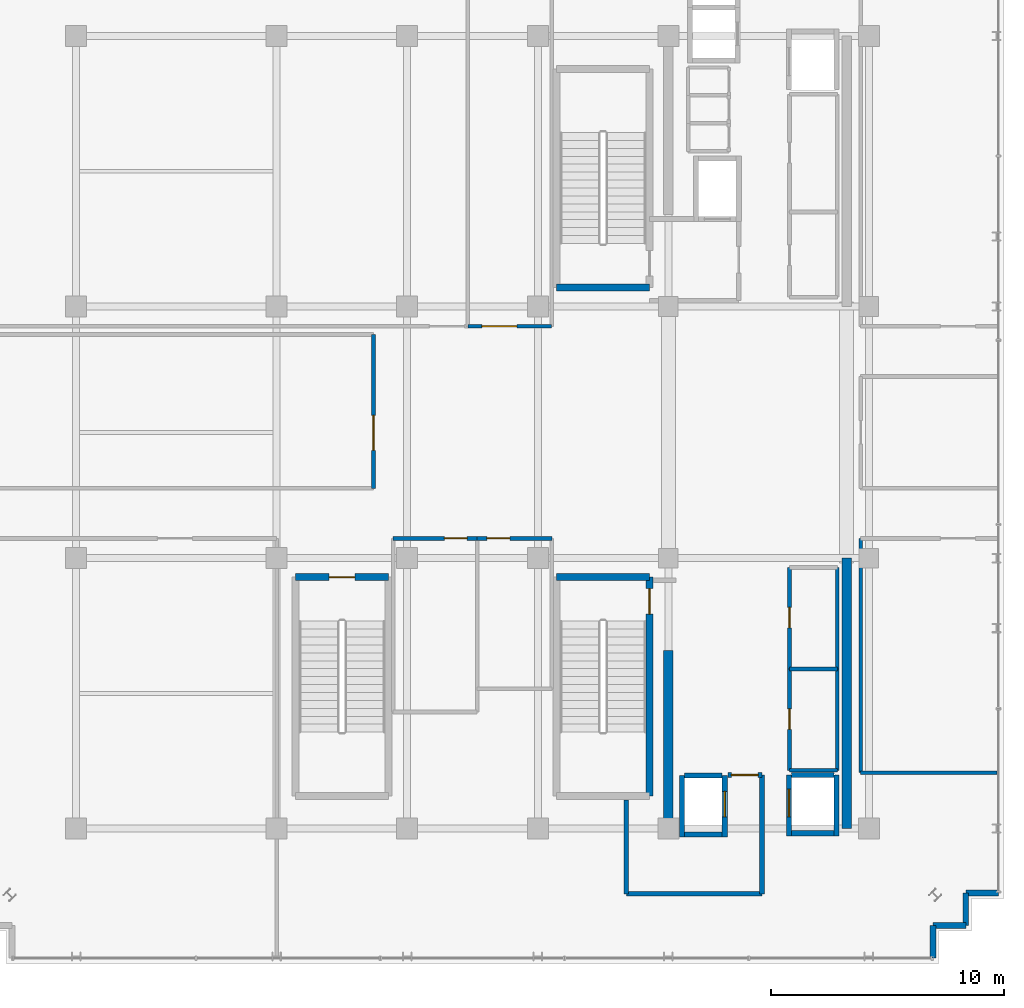
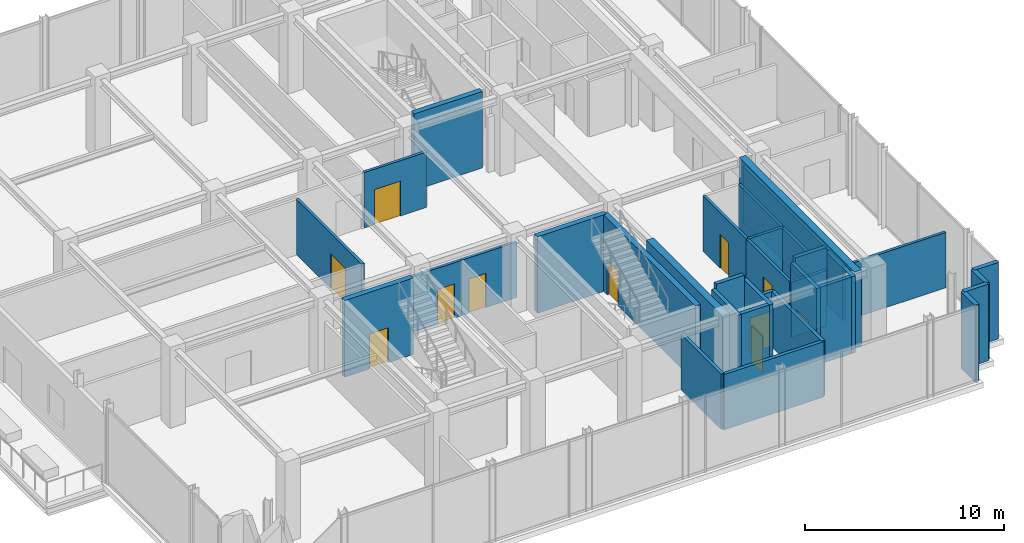
# One storey, part 23 of 28: 34 walls, 11 doors, 11 openings.
"""IFC4 building model written with IfcOpenShell, lengths in metres."""

from ifc_helpers import new_model, si_unit, direction, frame, frame_2d, origin, place, context, subcontext, project, spatial, rectangle, extrude, source, transform, mapped, material, layer, layer_set, type_object, element, fill, save


model = new_model("IFC4")

# Units and contexts
model_context = context("Model", 3, precision=1e-05, world=origin(), true_north=direction((0.0, 1.0)))
body_context = subcontext(model_context, "Body", "Model", "MODEL_VIEW")
ifc_project = project(units=[si_unit("LENGTHUNIT", "METRE"), si_unit("AREAUNIT", "SQUARE_METRE"), si_unit("VOLUMEUNIT", "CUBIC_METRE"), si_unit("PLANEANGLEUNIT", "RADIAN"), si_unit("MASSUNIT", "GRAM", prefix="KILO")], contexts=[model_context])

# Site, building, storey
site_placement = place(None, origin())
site = spatial("IfcSite", under=ifc_project, at=site_placement, CompositionType="ELEMENT")
building_placement = place(site_placement, origin())
building = spatial("IfcBuilding", under=site, at=building_placement, Name="Nahalor Promenade Grand Hotel", CompositionType="ELEMENT")
storey_placement = place(building_placement, frame((0.0, 0.0, 352.050048828125)))
storey = spatial("IfcBuildingStorey", under=building, at=storey_placement, Name="L90", CompositionType="ELEMENT", Elevation=352.050048828125)

# Walls
ifc_material_1 = material(Name="Concrete B-50 (C40/50)", Category="concrete")
ifc_layer_1 = layer(ifc_material_1, 0.39990234375)
ifc_layer_set_1 = layer_set([ifc_layer_1], Name="Concrete B-50 (C40/50)")
wall_type_1 = type_object("IfcWallType", Name="Wall-CoreShear-400", PredefinedType="SHEAR", material=ifc_layer_set_1)
shared_shape_1 = source(origin(), body_context, "Body", "SweptSolid", [
    extrude(rectangle(XDim=7.64990234375, YDim=0.39990234375, at=frame_2d((3.824951171875, 0.0))), origin(), (0.0, 0.0, 1.0), 4.699951171875),
])
wall_1_placement = place(storey_placement, frame((8.39990234375, -17.0, 0.0), z_axis=(0.0, 0.0, 1.0), x_axis=(0.0, 1.0, 0.0)))
element("IfcWall", 1, at=wall_1_placement, inside=storey, type_object=wall_type_1, Name="CWALL-L90-SW", PredefinedType="SHEAR", context=body_context, shape_type="MappedRepresentation", body=[
    mapped(shared_shape_1, transform((0.0, 0.0, 0.0), scale=1.0)),
])
shared_shape_2 = source(origin(), body_context, "Body", "SweptSolid", [
    extrude(rectangle(XDim=11.60009765625, YDim=0.39990234375, at=frame_2d((5.800048828125, 0.0))), origin(), (0.0, 0.0, 1.0), 4.699951171875),
])
wall_2_placement = place(storey_placement, frame((16.050048828125, -17.0, 0.0), z_axis=(0.0, 0.0, 1.0), x_axis=(0.0, 1.0, 0.0)))
element("IfcWall", 2, at=wall_2_placement, inside=storey, type_object=wall_type_1, Name="CWALL-L90-SE", PredefinedType="SHEAR", context=body_context, shape_type="MappedRepresentation", body=[
    mapped(shared_shape_2, transform((0.0, 0.0, 0.0), scale=1.0)),
])
ifc_layer_2 = layer(ifc_material_1, 0.300048828125)
ifc_layer_set_2 = layer_set([ifc_layer_2], Name="Concrete B-50 (C40/50)")
wall_type_2 = type_object("IfcWallType", Name="Wall-ShaftShear-300", PredefinedType="SHEAR", material=ifc_layer_set_2)
shared_shape_3 = source(origin(), body_context, "Body", "SweptSolid", [
    extrude(rectangle(XDim=3.97998046875, YDim=0.300048828125, at=frame_2d((1.989990234375, 0.0))), origin(), (0.0, 0.0, 1.0), 4.699951171875),
])
for number, where, z_axis, x_axis, name in (
    (3, (3.610107421875, 6.2099609375, 0.0), (0.0, 0.0, 1.0), (1.0, 0.0, 0.0), "L90 Exit Stair ST1 Shaft Wall S"),
    (4, (3.610107421875, -6.2099609375, 0.0), (0.0, 0.0, 1.0), (1.0, 0.0, 0.0), "L90 Exit Stair ST2 Shaft Wall N"),
):
    element("IfcWall", number, at=place(storey_placement, frame(where, z_axis=z_axis, x_axis=x_axis)), inside=storey, type_object=wall_type_2, Name=name, PredefinedType="SHEAR", context=body_context, shape_type="MappedRepresentation", body=[
        mapped(shared_shape_3, transform((0.0, 0.0, 0.0), scale=1.0)),
    ])

# Wall, opening, door
wall_3_placement = place(storey_placement, frame((-7.590087890625, -6.2099609375, 0.0), z_axis=(0.0, 0.0, 1.0), x_axis=(1.0, 0.0, 0.0)))
wall_3 = element("IfcWall", 5, at=wall_3_placement, inside=storey, type_object=wall_type_2, Name="L90 Exit Stair ST3 Shaft Wall N", PredefinedType="SHEAR", context=body_context, shape_type="MappedRepresentation", body=[
    mapped(shared_shape_3, transform((0.0, 0.0, 0.0), scale=1.0)),
])
opening_1_placement = place(wall_3_placement, frame((1.43994140625, 0.0, 0.0)))
opening_1 = element("IfcOpeningElement", 6, at=opening_1_placement, cuts=wall_3, Name="Opening D-ST1", PredefinedType="OPENING", context=body_context, shape_type="SweptSolid", body=[
    extrude(rectangle(XDim=1.10009765625, YDim=2.14990234375, at=frame_2d((0.550048828125, 1.074951171875))), frame((0.0, 0.159912109375, 0.0), z_axis=(0.0, -1.0, 0.0), x_axis=(1.0, 0.0, 0.0)), (0.0, 0.0, 1.0), 0.320068359375),
])
ifc_material_2 = material(Name="Steel S355JR", Category="steel")
door_type_1 = type_object("IfcDoorType", Name="Door-StairFire-1100", OperationType="NOTDEFINED", PredefinedType="DOOR", material=ifc_material_2)
shared_shape_4 = source(origin(), body_context, "Body", "SweptSolid", [
    extrude(rectangle(XDim=1.10009765625, YDim=2.14990234375, at=frame_2d((0.550048828125, 1.074951171875))), frame((0.0, 0.02490234375, 0.0), z_axis=(0.0, -1.0, 0.0), x_axis=(1.0, 0.0, 0.0)), (0.0, 0.0, 1.0), 0.050048828125),
])
door_1_placement = place(opening_1_placement, frame((1.10009765625, 0.0, 0.0), z_axis=(0.0, 0.0, 1.0), x_axis=(-1.0, 0.0, 0.0)))
door_1 = element("IfcDoor", 7, at=door_1_placement, inside=storey, type_object=door_type_1, Name="DR-STAIR-ST3-L90", OperationType="SINGLE_SWING_LEFT", OverallHeight=2.14990234375, OverallWidth=1.10009765625, PredefinedType="DOOR", context=body_context, shape_type="MappedRepresentation", body=[
    mapped(shared_shape_4, transform((0.0, 0.0, 0.0), scale=1.0)),
])
fill(opening_1, door_1)

shared_shape_5 = source(origin(), body_context, "Body", "SweptSolid", [
    extrude(rectangle(XDim=9.380126953125, YDim=0.300048828125, at=frame_2d((4.68994140625, 0.0))), origin(), (0.0, 0.0, 1.0), 4.699951171875),
])
wall_4_placement = place(storey_placement, frame((7.590087890625, -15.590087890625, 0.0), z_axis=(0.0, 0.0, 1.0), x_axis=(0.0, 1.0, 0.0)))
wall_4 = element("IfcWall", 8, at=wall_4_placement, inside=storey, type_object=wall_type_2, Name="L90 Exit Stair ST2 Shaft Wall E", PredefinedType="SHEAR", context=body_context, shape_type="MappedRepresentation", body=[
    mapped(shared_shape_5, transform((0.0, 0.0, 0.0), scale=1.0)),
])
opening_2_placement = place(wall_4_placement, frame((7.7900390625, 0.0, 0.0)))
opening_2 = element("IfcOpeningElement", 9, at=opening_2_placement, cuts=wall_4, Name="Opening D-ST1", PredefinedType="OPENING", context=body_context, shape_type="SweptSolid", body=[
    extrude(rectangle(XDim=1.10009765625, YDim=2.14990234375, at=frame_2d((0.550048828125, 1.074951171875))), frame((0.0, 0.159912109375, 0.0), z_axis=(0.0, -1.0, 0.0), x_axis=(1.0, 0.0, 0.0)), (0.0, 0.0, 1.0), 0.320068359375),
])
door_2_placement = place(opening_2_placement, origin())
door_2 = element("IfcDoor", 10, at=door_2_placement, inside=storey, type_object=door_type_1, Name="DR-STAIR-ST2-L90", OperationType="SINGLE_SWING_LEFT", OverallHeight=2.14990234375, OverallWidth=1.10009765625, PredefinedType="DOOR", context=body_context, shape_type="MappedRepresentation", body=[
    mapped(shared_shape_4, transform((0.0, 0.0, 0.0), scale=1.0)),
])
fill(opening_2, door_2)

# Walls
ifc_layer_3 = layer(ifc_material_1, 0.219970703125)
ifc_layer_set_3 = layer_set([ifc_layer_3], Name="Concrete B-50 (C40/50)")
wall_type_3 = type_object("IfcWallType", Name="Wall-LiftShaft-220", PredefinedType="SHEAR", material=ifc_layer_set_3)
shared_shape_6 = source(origin(), body_context, "Body", "SweptSolid", [
    extrude(rectangle(XDim=1.820068359375, YDim=0.219970703125, at=frame_2d((0.91015625, 0.0))), origin(), (0.0, 0.0, 1.0), 4.699951171875),
])
wall_5_placement = place(storey_placement, frame((13.68994140625, -17.199951171875, 0.0), z_axis=(0.0, 0.0, 1.0), x_axis=(1.0, 0.0, 0.0)))
element("IfcWall", 11, at=wall_5_placement, inside=storey, type_object=wall_type_3, Name="L90 Lift SV2 Hoistway Wall S", PredefinedType="SHEAR", context=body_context, shape_type="MappedRepresentation", body=[
    mapped(shared_shape_6, transform((0.0, 0.0, 0.0), scale=1.0)),
])
shared_shape_7 = source(origin(), body_context, "Body", "SweptSolid", [
    extrude(rectangle(XDim=1.820068359375, YDim=0.219970703125, at=frame_2d((0.91015625, 0.0))), origin(), (0.0, 0.0, 1.0), 5.0),
])
wall_6_placement = place(storey_placement, frame((13.68994140625, -14.699951171875, 0.0), z_axis=(0.0, 0.0, 1.0), x_axis=(1.0, 0.0, 0.0)))
element("IfcWall", 12, at=wall_6_placement, inside=storey, type_object=wall_type_3, Name="L90 Lift SV2 Hoistway Wall N", PredefinedType="SHEAR", context=body_context, shape_type="MappedRepresentation", body=[
    mapped(shared_shape_7, transform((0.0, 0.0, 0.0), scale=1.0)),
])
shared_shape_8 = source(origin(), body_context, "Body", "SweptSolid", [
    extrude(rectangle(XDim=2.635009765625, YDim=0.219970703125, at=frame_2d((1.3173828125, 0.0))), origin(), (0.0, 0.0, 1.0), 4.699951171875),
])
wall_7_placement = place(storey_placement, frame((8.97998046875, -17.360107421875, 0.0), z_axis=(0.0, 0.0, 1.0), x_axis=(0.0, 1.0, 0.0)))
element("IfcWall", 13, at=wall_7_placement, inside=storey, type_object=wall_type_3, Name="L90 Lift FL2 Hoistway Wall W", PredefinedType="SHEAR", context=body_context, shape_type="MappedRepresentation", body=[
    mapped(shared_shape_8, transform((0.0, 0.0, 0.0), scale=1.0)),
])

# Wall, opening, door
wall_8_placement = place(storey_placement, frame((10.820068359375, -17.360107421875, 0.0), z_axis=(0.0, 0.0, 1.0), x_axis=(0.0, 1.0, 0.0)))
wall_8 = element("IfcWall", 14, at=wall_8_placement, inside=storey, type_object=wall_type_3, Name="L90 Lift FL2 Hoistway Wall E", PredefinedType="SHEAR", context=body_context, shape_type="MappedRepresentation", body=[
    mapped(shared_shape_8, transform((0.0, 0.0, 0.0), scale=1.0)),
])
opening_3_placement = place(wall_8_placement, frame((0.860107421875, 0.0, 0.0)))
opening_3 = element("IfcOpeningElement", 15, at=opening_3_placement, cuts=wall_8, Name="Opening LD-02", PredefinedType="OPENING", context=body_context, shape_type="SweptSolid", body=[
    extrude(rectangle(XDim=1.10009765625, YDim=2.199951171875, at=frame_2d((0.550048828125, 1.10009765625))), frame((0.0, 0.119873046875, 0.0), z_axis=(0.0, -1.0, 0.0), x_axis=(1.0, 0.0, 0.0)), (0.0, 0.0, 1.0), 0.239990234375),
])
door_type_2 = type_object("IfcDoorType", Name="Door-LiftFF-1100", OperationType="DOUBLE_DOOR_SLIDING", PredefinedType="DOOR", material=ifc_material_2)
shared_shape_9 = source(origin(), body_context, "Body", "SweptSolid", [
    extrude(rectangle(XDim=1.10009765625, YDim=2.199951171875, at=frame_2d((0.550048828125, 1.10009765625))), frame((0.0, 0.02490234375, 0.0), z_axis=(0.0, -1.0, 0.0), x_axis=(1.0, 0.0, 0.0)), (0.0, 0.0, 1.0), 0.050048828125),
])
door_3_placement = place(opening_3_placement, frame((1.10009765625, 0.0, 0.0), z_axis=(0.0, 0.0, 1.0), x_axis=(-1.0, 0.0, 0.0)))
door_3 = element("IfcDoor", 16, at=door_3_placement, inside=storey, type_object=door_type_2, Name="DR-LIFT-FL2-L90", OperationType="DOUBLE_DOOR_SLIDING", OverallHeight=2.199951171875, OverallWidth=1.10009765625, PredefinedType="DOOR", context=body_context, shape_type="MappedRepresentation", body=[
    mapped(shared_shape_9, transform((0.0, 0.0, 0.0), scale=1.0)),
])
fill(opening_3, door_3)

# Walls
shared_shape_10 = source(origin(), body_context, "Body", "SweptSolid", [
    extrude(rectangle(XDim=1.619873046875, YDim=0.219970703125, at=frame_2d((0.81005859375, 0.0))), origin(), (0.0, 0.0, 1.0), 4.699951171875),
])
wall_9_placement = place(storey_placement, frame((9.090087890625, -17.25, 0.0), z_axis=(0.0, 0.0, 1.0), x_axis=(1.0, 0.0, 0.0)))
element("IfcWall", 17, at=wall_9_placement, inside=storey, type_object=wall_type_3, Name="L90 Lift FL2 Hoistway Wall S", PredefinedType="SHEAR", context=body_context, shape_type="MappedRepresentation", body=[
    mapped(shared_shape_10, transform((0.0, 0.0, 0.0), scale=1.0)),
])
shared_shape_11 = source(origin(), body_context, "Body", "SweptSolid", [
    extrude(rectangle(XDim=1.619873046875, YDim=0.219970703125, at=frame_2d((0.81005859375, 0.0))), origin(), (0.0, 0.0, 1.0), 5.0),
])
wall_10_placement = place(storey_placement, frame((9.090087890625, -14.72509765625, 0.0), z_axis=(0.0, 0.0, 1.0), x_axis=(1.0, 0.0, 0.0)))
element("IfcWall", 18, at=wall_10_placement, inside=storey, type_object=wall_type_3, Name="L90 Lift FL2 Hoistway Wall N", PredefinedType="SHEAR", context=body_context, shape_type="MappedRepresentation", body=[
    mapped(shared_shape_11, transform((0.0, 0.0, 0.0), scale=1.0)),
])

# Wall, opening, door
shared_shape_12 = source(origin(), body_context, "Body", "SweptSolid", [
    extrude(rectangle(XDim=2.610107421875, YDim=0.219970703125, at=frame_2d((1.30517578125, 0.0))), origin(), (0.0, 0.0, 1.0), 4.699951171875),
])
wall_11_placement = place(storey_placement, frame((13.580078125, -17.31005859375, 0.0), z_axis=(0.0, 0.0, 1.0), x_axis=(0.0, 1.0, 0.0)))
wall_11 = element("IfcWall", 19, at=wall_11_placement, inside=storey, type_object=wall_type_3, Name="L90 Lift SV2 Hoistway Wall W", PredefinedType="SHEAR", context=body_context, shape_type="MappedRepresentation", body=[
    mapped(shared_shape_12, transform((0.0, 0.0, 0.0), scale=1.0)),
])
opening_4_placement = place(wall_11_placement, frame((0.81005859375, 0.0, 0.0)))
opening_4 = element("IfcOpeningElement", 20, at=opening_4_placement, cuts=wall_11, Name="Opening LD-03", PredefinedType="OPENING", context=body_context, shape_type="SweptSolid", body=[
    extrude(rectangle(XDim=1.199951171875, YDim=2.199951171875, at=frame_2d((0.60009765625, 1.10009765625))), frame((0.0, 0.119873046875, 0.0), z_axis=(0.0, -1.0, 0.0), x_axis=(1.0, 0.0, 0.0)), (0.0, 0.0, 1.0), 0.239990234375),
])
door_type_3 = type_object("IfcDoorType", Name="Door-LiftService-1200", OperationType="DOUBLE_DOOR_SLIDING", PredefinedType="DOOR", material=ifc_material_2)
shared_shape_13 = source(origin(), body_context, "Body", "SweptSolid", [
    extrude(rectangle(XDim=1.199951171875, YDim=2.199951171875, at=frame_2d((0.60009765625, 1.10009765625))), frame((0.0, 0.02490234375, 0.0), z_axis=(0.0, -1.0, 0.0), x_axis=(1.0, 0.0, 0.0)), (0.0, 0.0, 1.0), 0.050048828125),
])
door_4_placement = place(opening_4_placement, origin())
door_4 = element("IfcDoor", 21, at=door_4_placement, inside=storey, type_object=door_type_3, Name="DR-LIFT-SV2-L90", OperationType="DOUBLE_DOOR_SLIDING", OverallHeight=2.199951171875, OverallWidth=1.199951171875, PredefinedType="DOOR", context=body_context, shape_type="MappedRepresentation", body=[
    mapped(shared_shape_13, transform((0.0, 0.0, 0.0), scale=1.0)),
])
fill(opening_4, door_4)

# Walls
wall_12_placement = place(storey_placement, frame((15.6201171875, -17.31005859375, 0.0), z_axis=(0.0, 0.0, 1.0), x_axis=(0.0, 1.0, 0.0)))
element("IfcWall", 22, at=wall_12_placement, inside=storey, type_object=wall_type_3, Name="L90 Lift SV2 Hoistway Wall E", PredefinedType="SHEAR", context=body_context, shape_type="MappedRepresentation", body=[
    mapped(shared_shape_12, transform((0.0, 0.0, 0.0), scale=1.0)),
])
ifc_material_3 = material(Name="Concrete B-40 (C32/40)", Category="concrete")
ifc_layer_4 = layer(ifc_material_3, 0.25)
ifc_layer_set_4 = layer_set([ifc_layer_4], Name="Concrete B-40 (C32/40)")
wall_type_4 = type_object("IfcWallType", Name="Wall-BronzePier-250", PredefinedType="STANDARD", material=ifc_layer_set_4)
shared_shape_14 = source(origin(), body_context, "Body", "SweptSolid", [
    extrude(rectangle(XDim=1.400146484375, YDim=0.25, at=frame_2d((0.7001953125, 0.0))), origin(), (0.0, 0.0, 1.0), 4.699951171875),
])
for number, where, z_axis, x_axis, name in (
    (23, (19.760009765625, -22.56005859375, 0.0), (0.0, 0.0, 1.0), (0.0, 1.0, 0.0), "W-L90-SR-01"),
    (24, (21.159912109375, -19.760009765625, 0.0), (0.0, 0.0, 1.0), (1.0, 0.0, 0.0), "W-L90-SR-04"),
):
    element("IfcWall", number, at=place(storey_placement, frame(where, z_axis=z_axis, x_axis=x_axis)), inside=storey, type_object=wall_type_4, Name=name, PredefinedType="STANDARD", context=body_context, shape_type="MappedRepresentation", body=[
        mapped(shared_shape_14, transform((0.0, 0.0, 0.0), scale=1.0)),
    ])
shared_shape_15 = source(origin(), body_context, "Body", "SweptSolid", [
    extrude(rectangle(XDim=1.39990234375, YDim=0.25, at=frame_2d((0.699951171875, 0.0))), origin(), (0.0, 0.0, 1.0), 4.699951171875),
])
for number, where, z_axis, x_axis, name in (
    (25, (19.760009765625, -21.159912109375, 0.0), (0.0, 0.0, 1.0), (1.0, 0.0, 0.0), "W-L90-SR-02"),
    (26, (21.159912109375, -21.159912109375, 0.0), (0.0, 0.0, 1.0), (0.0, 1.0, 0.0), "W-L90-SR-03"),
):
    element("IfcWall", number, at=place(storey_placement, frame(where, z_axis=z_axis, x_axis=x_axis)), inside=storey, type_object=wall_type_4, Name=name, PredefinedType="STANDARD", context=body_context, shape_type="MappedRepresentation", body=[
        mapped(shared_shape_15, transform((0.0, 0.0, 0.0), scale=1.0)),
    ])
ifc_layer_5 = layer(ifc_material_3, 0.199951171875)
ifc_layer_set_5 = layer_set([ifc_layer_5], Name="Concrete B-40 (C32/40)")
wall_type_5 = type_object("IfcWallType", Name="Wall-PartFire-200", PredefinedType="PARTITIONING", material=ifc_layer_set_5)
shared_shape_16 = source(origin(), body_context, "Body", "SweptSolid", [
    extrude(rectangle(XDim=5.81982421875, YDim=0.199951171875, at=frame_2d((2.909912109375, 0.0))), origin(), (0.0, 0.0, 1.0), 3.39990234375),
])
wall_13_placement = place(storey_placement, frame((6.60009765625, -19.800048828125, 0.0), z_axis=(0.0, 0.0, 1.0), x_axis=(1.0, 0.0, 0.0)))
element("IfcWall", 27, at=wall_13_placement, inside=storey, type_object=wall_type_5, Name="W-L90-FF2-S1", PredefinedType="PARTITIONING", context=body_context, shape_type="MappedRepresentation", body=[
    mapped(shared_shape_16, transform((0.0, 0.0, 0.0), scale=1.0)),
])
shared_shape_17 = source(origin(), body_context, "Body", "SweptSolid", [
    extrude(rectangle(XDim=4.030029296875, YDim=0.199951171875, at=frame_2d((2.01513671875, 0.0))), origin(), (0.0, 0.0, 1.0), 3.39990234375),
])
wall_14_placement = place(storey_placement, frame((6.60009765625, -19.800048828125, 0.0), z_axis=(0.0, 0.0, 1.0), x_axis=(0.0, 1.0, 0.0)))
element("IfcWall", 28, at=wall_14_placement, inside=storey, type_object=wall_type_5, Name="W-L90-FF2-W1", PredefinedType="PARTITIONING", context=body_context, shape_type="MappedRepresentation", body=[
    mapped(shared_shape_17, transform((0.0, 0.0, 0.0), scale=1.0)),
])
shared_shape_18 = source(origin(), body_context, "Body", "SweptSolid", [
    extrude(rectangle(XDim=5.10009765625, YDim=0.199951171875, at=frame_2d((2.550048828125, 0.0))), origin(), (0.0, 0.0, 1.0), 3.39990234375),
])
wall_15_placement = place(storey_placement, frame((12.419921875, -19.800048828125, 0.0), z_axis=(0.0, 0.0, 1.0), x_axis=(0.0, 1.0, 0.0)))
element("IfcWall", 29, at=wall_15_placement, inside=storey, type_object=wall_type_5, Name="W-L90-FF2-E", PredefinedType="PARTITIONING", context=body_context, shape_type="MappedRepresentation", body=[
    mapped(shared_shape_18, transform((0.0, 0.0, 0.0), scale=1.0)),
])

# Wall, opening, door
shared_shape_19 = source(origin(), body_context, "Body", "SweptSolid", [
    extrude(rectangle(XDim=1.4599609375, YDim=0.199951171875, at=frame_2d((0.72998046875, 0.0))), origin(), (0.0, 0.0, 1.0), 3.39990234375),
])
wall_16_placement = place(storey_placement, frame((10.9599609375, -14.699951171875, 0.0), z_axis=(0.0, 0.0, 1.0), x_axis=(1.0, 0.0, 0.0)))
wall_16 = element("IfcWall", 30, at=wall_16_placement, inside=storey, type_object=wall_type_5, Name="W-L90-FF2-N1", PredefinedType="PARTITIONING", context=body_context, shape_type="MappedRepresentation", body=[
    mapped(shared_shape_19, transform((0.0, 0.0, 0.0), scale=1.0)),
])
opening_5_placement = place(wall_16_placement, frame((0.14501953125, 0.0, 0.0)))
opening_5 = element("IfcOpeningElement", 31, at=opening_5_placement, cuts=wall_16, Name="Opening D-FF1", PredefinedType="OPENING", context=body_context, shape_type="SweptSolid", body=[
    extrude(rectangle(XDim=1.14990234375, YDim=2.14990234375, at=frame_2d((0.574951171875, 1.074951171875))), frame((0.0, 0.10986328125, 0.0), z_axis=(0.0, -1.0, 0.0), x_axis=(1.0, 0.0, 0.0)), (0.0, 0.0, 1.0), 0.219970703125),
])
door_type_4 = type_object("IfcDoorType", Name="Door-FFLobby-1150", OperationType="NOTDEFINED", PredefinedType="DOOR", material=ifc_material_2)
shared_shape_20 = source(origin(), body_context, "Body", "SweptSolid", [
    extrude(rectangle(XDim=1.14990234375, YDim=2.14990234375, at=frame_2d((0.574951171875, 1.074951171875))), frame((0.0, 0.02490234375, 0.0), z_axis=(0.0, -1.0, 0.0), x_axis=(1.0, 0.0, 0.0)), (0.0, 0.0, 1.0), 0.050048828125),
])
door_5_placement = place(opening_5_placement, origin())
door_5 = element("IfcDoor", 32, at=door_5_placement, inside=storey, type_object=door_type_4, Name="DR-L90-FFL2", OperationType="SINGLE_SWING_RIGHT", OverallHeight=2.14990234375, OverallWidth=1.14990234375, PredefinedType="DOOR", context=body_context, shape_type="MappedRepresentation", body=[
    mapped(shared_shape_20, transform((0.0, 0.0, 0.0), scale=1.0)),
])
fill(opening_5, door_5)

# Walls
ifc_material_4 = material(Name="Acoustic Mineral Gypsum", Category="gypsum")
ifc_layer_6 = layer(ifc_material_4, 0.159912109375)
ifc_layer_set_6 = layer_set([ifc_layer_6], Name="Acoustic Mineral Gypsum")
wall_type_6 = type_object("IfcWallType", Name="Wall-PartCorridor-160", PredefinedType="PARTITIONING", material=ifc_layer_set_6)
shared_shape_21 = source(origin(), body_context, "Body", "SweptSolid", [
    extrude(rectangle(XDim=2.0498046875, YDim=0.159912109375, at=frame_2d((1.02490234375, 0.0))), origin(), (0.0, 0.0, 1.0), 3.39990234375),
])
for number, where, z_axis, x_axis, name in (
    (33, (13.60009765625, -14.5, 0.0), (0.0, 0.0, 1.0), (1.0, 0.0, 0.0), "W-L90-FRB2A-S"),
    (34, (13.60009765625, -10.14990234375, 0.0), (0.0, 0.0, 1.0), (1.0, 0.0, 0.0), "W-L90-FRB2A-N"),
):
    element("IfcWall", number, at=place(storey_placement, frame(where, z_axis=z_axis, x_axis=x_axis)), inside=storey, type_object=wall_type_6, Name=name, PredefinedType="PARTITIONING", context=body_context, shape_type="MappedRepresentation", body=[
        mapped(shared_shape_21, transform((0.0, 0.0, 0.0), scale=1.0)),
    ])

# Wall, opening, door
shared_shape_22 = source(origin(), body_context, "Body", "SweptSolid", [
    extrude(rectangle(XDim=4.35009765625, YDim=0.159912109375, at=frame_2d((2.175048828125, 0.0))), origin(), (0.0, 0.0, 1.0), 3.39990234375),
])
wall_17_placement = place(storey_placement, frame((13.60009765625, -14.5, 0.0), z_axis=(0.0, 0.0, 1.0), x_axis=(0.0, 1.0, 0.0)))
wall_17 = element("IfcWall", 35, at=wall_17_placement, inside=storey, type_object=wall_type_6, Name="W-L90-FRB2A-W", PredefinedType="PARTITIONING", context=body_context, shape_type="MappedRepresentation", body=[
    mapped(shared_shape_22, transform((0.0, 0.0, 0.0), scale=1.0)),
])
opening_6_placement = place(wall_17_placement, frame((1.760009765625, 0.0, 0.0)))
opening_6 = element("IfcOpeningElement", 36, at=opening_6_placement, cuts=wall_17, Name="Opening D-03", PredefinedType="OPENING", context=body_context, shape_type="SweptSolid", body=[
    extrude(rectangle(XDim=0.8798828125, YDim=2.10009765625, at=frame_2d((0.43994140625, 1.050048828125))), frame((0.0, 0.08984375, 0.0), z_axis=(0.0, -1.0, 0.0), x_axis=(1.0, 0.0, 0.0)), (0.0, 0.0, 1.0), 0.179931640625),
])
ifc_material_5 = material(Name="Fire-Rated Timber Composite", Category="wood")
door_type_5 = type_object("IfcDoorType", Name="Door-BathSwing-880", OperationType="NOTDEFINED", PredefinedType="DOOR", material=ifc_material_5)
shared_shape_23 = source(origin(), body_context, "Body", "SweptSolid", [
    extrude(rectangle(XDim=0.8798828125, YDim=2.10009765625, at=frame_2d((0.43994140625, 1.050048828125))), frame((0.0, 0.02490234375, 0.0), z_axis=(0.0, -1.0, 0.0), x_axis=(1.0, 0.0, 0.0)), (0.0, 0.0, 1.0), 0.050048828125),
])
door_6_placement = place(opening_6_placement, frame((0.8798828125, 0.0, 0.0), z_axis=(0.0, 0.0, 1.0), x_axis=(-1.0, 0.0, 0.0)))
door_6 = element("IfcDoor", 37, at=door_6_placement, inside=storey, type_object=door_type_5, Name="DR-L90-FRB2A", OperationType="SINGLE_SWING_RIGHT", OverallHeight=2.10009765625, OverallWidth=0.8798828125, PredefinedType="DOOR", context=body_context, shape_type="MappedRepresentation", body=[
    mapped(shared_shape_23, transform((0.0, 0.0, 0.0), scale=1.0)),
])
fill(opening_6, door_6)

# Wall
wall_18_placement = place(storey_placement, frame((15.64990234375, -14.5, 0.0), z_axis=(0.0, 0.0, 1.0), x_axis=(0.0, 1.0, 0.0)))
element("IfcWall", 38, at=wall_18_placement, inside=storey, type_object=wall_type_6, Name="W-L90-FRB2A-E", PredefinedType="PARTITIONING", context=body_context, shape_type="MappedRepresentation", body=[
    mapped(shared_shape_22, transform((0.0, 0.0, 0.0), scale=1.0)),
])

# Wall, opening, door
shared_shape_24 = source(origin(), body_context, "Body", "SweptSolid", [
    extrude(rectangle(XDim=4.349853515625, YDim=0.159912109375, at=frame_2d((2.1748046875, 0.0))), origin(), (0.0, 0.0, 1.0), 3.39990234375),
])
wall_19_placement = place(storey_placement, frame((13.60009765625, -10.14990234375, 0.0), z_axis=(0.0, 0.0, 1.0), x_axis=(0.0, 1.0, 0.0)))
wall_19 = element("IfcWall", 39, at=wall_19_placement, inside=storey, type_object=wall_type_6, Name="W-L90-FRB2B-W", PredefinedType="PARTITIONING", context=body_context, shape_type="MappedRepresentation", body=[
    mapped(shared_shape_24, transform((0.0, 0.0, 0.0), scale=1.0)),
])
opening_7_placement = place(wall_19_placement, frame((1.760009765625, 0.0, 0.0)))
opening_7 = element("IfcOpeningElement", 40, at=opening_7_placement, cuts=wall_19, Name="Opening D-03", PredefinedType="OPENING", context=body_context, shape_type="SweptSolid", body=[
    extrude(rectangle(XDim=0.8798828125, YDim=2.10009765625, at=frame_2d((0.43994140625, 1.050048828125))), frame((0.0, 0.08984375, 0.0), z_axis=(0.0, -1.0, 0.0), x_axis=(1.0, 0.0, 0.0)), (0.0, 0.0, 1.0), 0.179931640625),
])
door_7_placement = place(opening_7_placement, frame((0.8798828125, 0.0, 0.0), z_axis=(0.0, 0.0, 1.0), x_axis=(-1.0, 0.0, 0.0)))
door_7 = element("IfcDoor", 41, at=door_7_placement, inside=storey, type_object=door_type_5, Name="DR-L90-FRB2B", OperationType="SINGLE_SWING_LEFT", OverallHeight=2.10009765625, OverallWidth=0.8798828125, PredefinedType="DOOR", context=body_context, shape_type="MappedRepresentation", body=[
    mapped(shared_shape_23, transform((0.0, 0.0, 0.0), scale=1.0)),
])
fill(opening_7, door_7)

# Walls
wall_20_placement = place(storey_placement, frame((15.64990234375, -10.14990234375, 0.0), z_axis=(0.0, 0.0, 1.0), x_axis=(0.0, 1.0, 0.0)))
element("IfcWall", 42, at=wall_20_placement, inside=storey, type_object=wall_type_6, Name="W-L90-FRB2B-E", PredefinedType="PARTITIONING", context=body_context, shape_type="MappedRepresentation", body=[
    mapped(shared_shape_24, transform((0.0, 0.0, 0.0), scale=1.0)),
])
shared_shape_25 = source(origin(), body_context, "Body", "SweptSolid", [
    extrude(rectangle(XDim=5.85009765625, YDim=0.159912109375, at=frame_2d((2.925048828125, 0.0))), origin(), (0.0, 0.0, 1.0), 3.39990234375),
])
wall_21_placement = place(storey_placement, frame((16.64990234375, -14.60009765625, 0.0), z_axis=(0.0, 0.0, 1.0), x_axis=(1.0, 0.0, 0.0)))
element("IfcWall", 43, at=wall_21_placement, inside=storey, type_object=wall_type_6, Name="W-L90-SK07-S", PredefinedType="PARTITIONING", context=body_context, shape_type="MappedRepresentation", body=[
    mapped(shared_shape_25, transform((0.0, 0.0, 0.0), scale=1.0)),
])

# Wall, opening, door
shared_shape_26 = source(origin(), body_context, "Body", "SweptSolid", [
    extrude(rectangle(XDim=3.599853515625, YDim=0.159912109375, at=frame_2d((1.7998046875, 0.0))), origin(), (0.0, 0.0, 1.0), 3.39990234375),
])
wall_22_placement = place(storey_placement, frame((-0.199951171875, 4.550048828125, 0.0), z_axis=(0.0, 0.0, 1.0), x_axis=(1.0, 0.0, 0.0)))
wall_22 = element("IfcWall", 44, at=wall_22_placement, inside=storey, type_object=wall_type_6, Name="W-L90-SK04-S", PredefinedType="PARTITIONING", context=body_context, shape_type="MappedRepresentation", body=[
    mapped(shared_shape_26, transform((0.0, 0.0, 0.0), scale=1.0)),
])
opening_8_placement = place(wall_22_placement, frame((0.60009765625, 0.0, 0.0)))
opening_8 = element("IfcOpeningElement", 45, at=opening_8_placement, cuts=wall_22, Name="Opening D-02", PredefinedType="OPENING", context=body_context, shape_type="SweptSolid", body=[
    extrude(rectangle(XDim=1.5, YDim=2.14990234375, at=frame_2d((0.75, 1.074951171875))), frame((0.0, 0.08984375, 0.0), z_axis=(0.0, -1.0, 0.0), x_axis=(1.0, 0.0, 0.0)), (0.0, 0.0, 1.0), 0.179931640625),
])
door_type_6 = type_object("IfcDoorType", Name="Door-SuiteDouble-1500", OperationType="DOUBLE_DOOR_SINGLE_SWING", PredefinedType="DOOR", material=ifc_material_5)
shared_shape_27 = source(origin(), body_context, "Body", "SweptSolid", [
    extrude(rectangle(XDim=1.5, YDim=2.14990234375, at=frame_2d((0.75, 1.074951171875))), frame((0.0, 0.02490234375, 0.0), z_axis=(0.0, -1.0, 0.0), x_axis=(1.0, 0.0, 0.0)), (0.0, 0.0, 1.0), 0.050048828125),
])
door_8_placement = place(opening_8_placement, origin())
door_8 = element("IfcDoor", 46, at=door_8_placement, inside=storey, type_object=door_type_6, Name="DR-L90-SK04", OperationType="DOUBLE_DOOR_SINGLE_SWING", OverallHeight=2.14990234375, OverallWidth=1.5, PredefinedType="DOOR", context=body_context, shape_type="MappedRepresentation", body=[
    mapped(shared_shape_27, transform((0.0, 0.0, 0.0), scale=1.0)),
])
fill(opening_8, door_8)

wall_23_placement = place(storey_placement, frame((-3.39990234375, -4.550048828125, 0.0), z_axis=(0.0, 0.0, 1.0), x_axis=(1.0, 0.0, 0.0)))
wall_23 = element("IfcWall", 47, at=wall_23_placement, inside=storey, type_object=wall_type_6, Name="W-L90-SK08-N", PredefinedType="PARTITIONING", context=body_context, shape_type="MappedRepresentation", body=[
    mapped(shared_shape_26, transform((0.0, 0.0, 0.0), scale=1.0)),
])
opening_9_placement = place(wall_23_placement, frame((2.18994140625, 0.0, 0.0)))
opening_9 = element("IfcOpeningElement", 48, at=opening_9_placement, cuts=wall_23, Name="Opening D-05", PredefinedType="OPENING", context=body_context, shape_type="SweptSolid", body=[
    extrude(rectangle(XDim=0.97998046875, YDim=2.10009765625, at=frame_2d((0.489990234375, 1.050048828125))), frame((0.0, 0.08984375, 0.0), z_axis=(0.0, -1.0, 0.0), x_axis=(1.0, 0.0, 0.0)), (0.0, 0.0, 1.0), 0.179931640625),
])
door_type_7 = type_object("IfcDoorType", Name="Door-AccessibleWC-980", OperationType="NOTDEFINED", PredefinedType="DOOR", material=ifc_material_5)
shared_shape_28 = source(origin(), body_context, "Body", "SweptSolid", [
    extrude(rectangle(XDim=0.97998046875, YDim=2.10009765625, at=frame_2d((0.489990234375, 1.050048828125))), frame((0.0, 0.02490234375, 0.0), z_axis=(0.0, -1.0, 0.0), x_axis=(1.0, 0.0, 0.0)), (0.0, 0.0, 1.0), 0.050048828125),
])
door_9_placement = place(opening_9_placement, frame((0.97998046875, 0.0, 0.0), z_axis=(0.0, 0.0, 1.0), x_axis=(-1.0, 0.0, 0.0)))
door_9 = element("IfcDoor", 49, at=door_9_placement, inside=storey, type_object=door_type_7, Name="DR-L90-SK08", OperationType="SINGLE_SWING_LEFT", OverallHeight=2.10009765625, OverallWidth=0.97998046875, PredefinedType="DOOR", context=body_context, shape_type="MappedRepresentation", body=[
    mapped(shared_shape_28, transform((0.0, 0.0, 0.0), scale=1.0)),
])
fill(opening_9, door_9)

# Wall
shared_shape_29 = source(origin(), body_context, "Body", "SweptSolid", [
    extrude(rectangle(XDim=10.050048828125, YDim=0.159912109375, at=frame_2d((5.02490234375, 0.0))), origin(), (0.0, 0.0, 1.0), 3.39990234375),
])
wall_24_placement = place(storey_placement, frame((16.64990234375, -14.60009765625, 0.0), z_axis=(0.0, 0.0, 1.0), x_axis=(0.0, 1.0, 0.0)))
element("IfcWall", 50, at=wall_24_placement, inside=storey, type_object=wall_type_6, Name="W-L90-SK07-W", PredefinedType="PARTITIONING", context=body_context, shape_type="MappedRepresentation", body=[
    mapped(shared_shape_29, transform((0.0, 0.0, 0.0), scale=1.0)),
])

# Wall, opening, door
shared_shape_30 = source(origin(), body_context, "Body", "SweptSolid", [
    extrude(rectangle(XDim=3.199951171875, YDim=0.159912109375, at=frame_2d((1.60009765625, 0.0))), origin(), (0.0, 0.0, 1.0), 3.39990234375),
])
wall_25_placement = place(storey_placement, frame((0.199951171875, -4.550048828125, 0.0), z_axis=(0.0, 0.0, 1.0), x_axis=(1.0, 0.0, 0.0)))
wall_25 = element("IfcWall", 51, at=wall_25_placement, inside=storey, type_object=wall_type_6, Name="W-L90-SK09-N", PredefinedType="PARTITIONING", context=body_context, shape_type="MappedRepresentation", body=[
    mapped(shared_shape_30, transform((0.0, 0.0, 0.0), scale=1.0)),
])
opening_10_placement = place(wall_25_placement, frame((0.4208984375, 0.0, 0.0)))
opening_10 = element("IfcOpeningElement", 52, at=opening_10_placement, cuts=wall_25, Name="Opening D-05", PredefinedType="OPENING", context=body_context, shape_type="SweptSolid", body=[
    extrude(rectangle(XDim=0.97998046875, YDim=2.10009765625, at=frame_2d((0.489990234375, 1.050048828125))), frame((0.0, 0.08984375, 0.0), z_axis=(0.0, -1.0, 0.0), x_axis=(1.0, 0.0, 0.0)), (0.0, 0.0, 1.0), 0.179931640625),
])
door_10_placement = place(opening_10_placement, frame((0.97998046875, 0.0, 0.0), z_axis=(0.0, 0.0, 1.0), x_axis=(-1.0, 0.0, 0.0)))
door_10 = element("IfcDoor", 53, at=door_10_placement, inside=storey, type_object=door_type_7, Name="DR-L90-SK09", OperationType="SINGLE_SWING_RIGHT", OverallHeight=2.10009765625, OverallWidth=0.97998046875, PredefinedType="DOOR", context=body_context, shape_type="MappedRepresentation", body=[
    mapped(shared_shape_28, transform((0.0, 0.0, 0.0), scale=1.0)),
])
fill(opening_10, door_10)

shared_shape_31 = source(origin(), body_context, "Body", "SweptSolid", [
    extrude(rectangle(XDim=6.599853515625, YDim=0.159912109375, at=frame_2d((3.2998046875, 0.0))), origin(), (0.0, 0.0, 1.0), 3.39990234375),
])
wall_26_placement = place(storey_placement, frame((-4.25, -2.39990234375, 0.0), z_axis=(0.0, 0.0, 1.0), x_axis=(0.0, 1.0, 0.0)))
wall_26 = element("IfcWall", 54, at=wall_26_placement, inside=storey, type_object=wall_type_6, Name="W-L90-SK01-E", PredefinedType="PARTITIONING", context=body_context, shape_type="MappedRepresentation", body=[
    mapped(shared_shape_31, transform((0.0, 0.0, 0.0), scale=1.0)),
])
opening_11_placement = place(wall_26_placement, frame((1.6279296875, 0.0, 0.0)))
opening_11 = element("IfcOpeningElement", 55, at=opening_11_placement, cuts=wall_26, Name="Opening D-02", PredefinedType="OPENING", context=body_context, shape_type="SweptSolid", body=[
    extrude(rectangle(XDim=1.5, YDim=2.14990234375, at=frame_2d((0.75, 1.074951171875))), frame((0.0, 0.08984375, 0.0), z_axis=(0.0, -1.0, 0.0), x_axis=(1.0, 0.0, 0.0)), (0.0, 0.0, 1.0), 0.179931640625),
])
door_11_placement = place(opening_11_placement, origin())
door_11 = element("IfcDoor", 56, at=door_11_placement, inside=storey, type_object=door_type_6, Name="DR-L90-SK01", OperationType="DOUBLE_DOOR_SINGLE_SWING", OverallHeight=2.14990234375, OverallWidth=1.5, PredefinedType="DOOR", context=body_context, shape_type="MappedRepresentation", body=[
    mapped(shared_shape_27, transform((0.0, 0.0, 0.0), scale=1.0)),
])
fill(opening_11, door_11)

save(model, "model.ifc")
